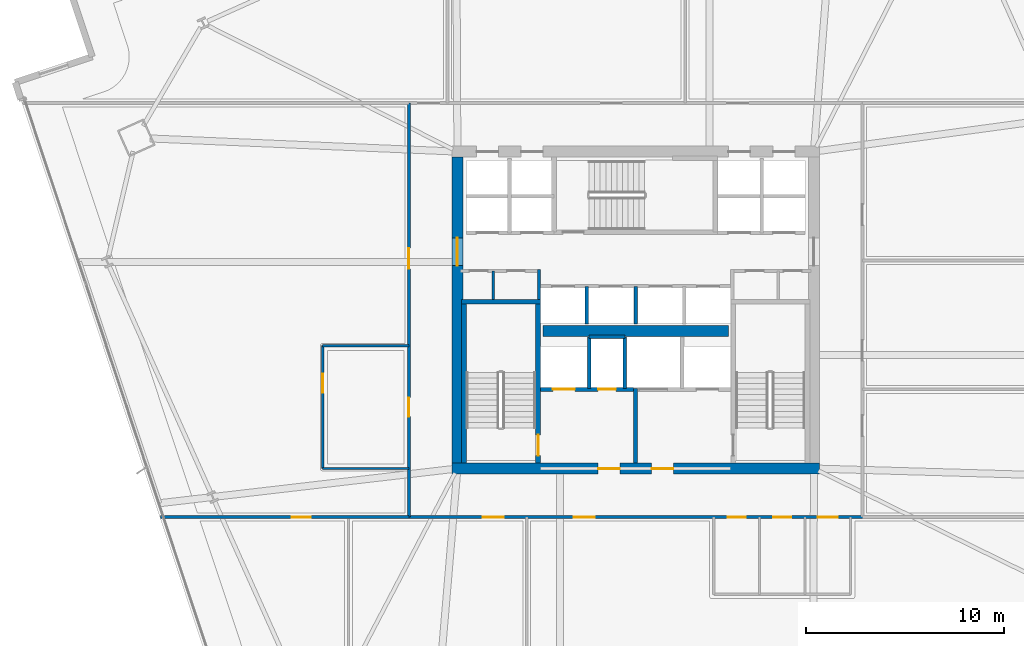
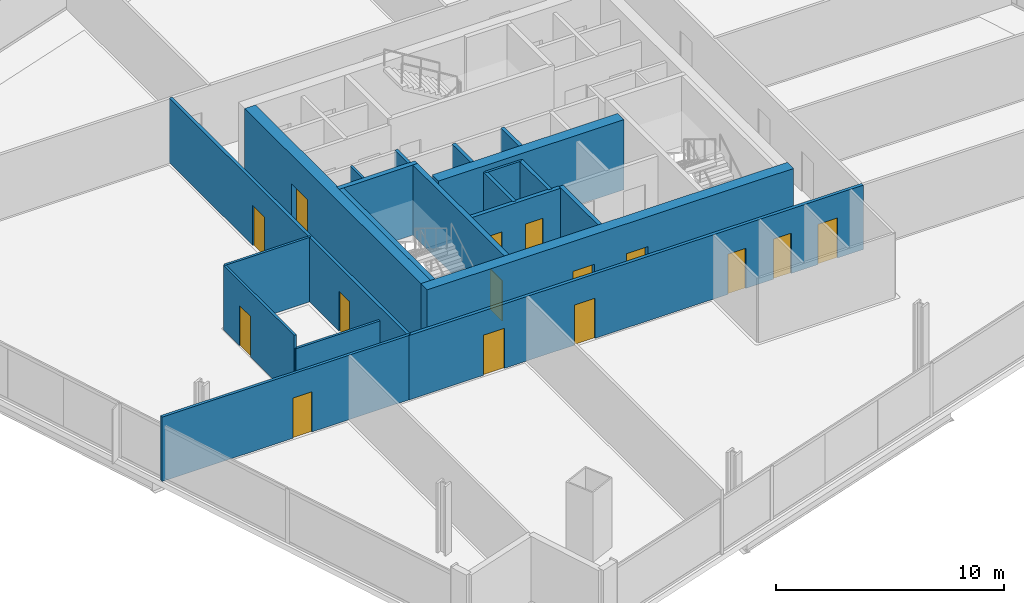
# One storey, part 25 of 34: 21 walls, 15 doors, 15 openings.
"""IFC4 building model written with IfcOpenShell, lengths in metres."""

from ifc_helpers import new_model, si_unit, direction, frame, frame_2d, origin, place, context, subcontext, project, spatial, rectangle, extrude, material, layer, layer_set, type_object, element, fill, save


model = new_model("IFC4")

# Units and contexts
model_context = context("Model", 3, precision=1e-05, world=origin(), true_north=direction((0.0, 1.0)))
body_context = subcontext(model_context, "Body", "Model", "MODEL_VIEW")
ifc_project = project(units=[si_unit("LENGTHUNIT", "METRE"), si_unit("AREAUNIT", "SQUARE_METRE"), si_unit("VOLUMEUNIT", "CUBIC_METRE"), si_unit("PLANEANGLEUNIT", "RADIAN"), si_unit("MASSUNIT", "GRAM", prefix="KILO")], contexts=[model_context])

# Site, building, storey
site_placement = place(None, origin())
site = spatial("IfcSite", under=ifc_project, at=site_placement, CompositionType="ELEMENT")
building_placement = place(site_placement, origin())
building = spatial("IfcBuilding", under=site, at=building_placement, Name="Haldenkirk Collegiate Tower", CompositionType="ELEMENT")
storey_placement = place(building_placement, frame((0.0, 0.0, 90.449951171875)))
storey = spatial("IfcBuildingStorey", under=building, at=storey_placement, Name="L21", CompositionType="ELEMENT", Elevation=90.449951171875)

# Wall, openings, doors
ifc_material_1 = material(Name="Concrete f'c 70 MPa", Category="concrete")
ifc_layer_1 = layer(ifc_material_1, 0.550048828125)
ifc_layer_set_1 = layer_set([ifc_layer_1], Name="Concrete f'c 70 MPa")
wall_type_1 = type_object("IfcWallType", Name="WL-CORE-550", PredefinedType="SHEAR", material=ifc_layer_set_1)
wall_1_placement = place(storey_placement, frame((26.72509765625, 18.0, 0.0), z_axis=(0.0, 0.0, 1.0), x_axis=(1.0, 0.0, 0.0)))
wall_1 = element("IfcWall", 1, at=wall_1_placement, inside=storey, type_object=wall_type_1, Name="L21 central core shear wall S", PredefinedType="SHEAR", context=body_context, shape_type="SweptSolid", body=[
    extrude(rectangle(XDim=18.5498046875, YDim=0.550048828125, at=frame_2d((9.27490234375, 0.0))), origin(), (0.0, 0.0, 1.0), 3.75),
])
opening_1_placement = place(wall_1_placement, frame((7.375, 0.0, 0.0)))
opening_1 = element("IfcOpeningElement", 2, at=opening_1_placement, cuts=wall_1, Name="Opening D-02", PredefinedType="OPENING", context=body_context, shape_type="SweptSolid", body=[
    extrude(rectangle(XDim=1.10009765625, YDim=2.14990234375, at=frame_2d((0.550048828125, 1.074951171875))), frame((0.0, 0.284912109375, 0.0), z_axis=(0.0, -1.0, 0.0), x_axis=(1.0, 0.0, 0.0)), (0.0, 0.0, 1.0), 0.570068359375),
])
opening_2_placement = place(wall_1_placement, frame((10.074951171875, 0.0, 0.0)))
opening_2 = element("IfcOpeningElement", 3, at=opening_2_placement, cuts=wall_1, Name="Opening D-02", PredefinedType="OPENING", context=body_context, shape_type="SweptSolid", body=[
    extrude(rectangle(XDim=1.10009765625, YDim=2.14990234375, at=frame_2d((0.550048828125, 1.074951171875))), frame((0.0, 0.284912109375, 0.0), z_axis=(0.0, -1.0, 0.0), x_axis=(1.0, 0.0, 0.0)), (0.0, 0.0, 1.0), 0.570068359375),
])
ifc_material_2 = material(Name="Galvanized fire-rated hollow steel door", Category="steel")
ifc_layer_2 = layer(ifc_material_2, 0.06005859375)
ifc_layer_set_2 = layer_set([ifc_layer_2], Name="Galvanized fire-rated hollow steel door")
door_type_1 = type_object("IfcDoorType", Name="DR-STAIR-FD90-1100", OperationType="NOTDEFINED", PredefinedType="DOOR", material=ifc_layer_set_2)
door_1_placement = place(opening_1_placement, origin())
door_1 = element("IfcDoor", 4, at=door_1_placement, inside=storey, type_object=door_type_1, Name="L21 Firefighting Lobby 1 door", OperationType="SINGLE_SWING_RIGHT", OverallHeight=2.14990234375, OverallWidth=1.10009765625, PredefinedType="DOOR", context=body_context, shape_type="SweptSolid", body=[
    extrude(rectangle(XDim=1.10009765625, YDim=2.14990234375, at=frame_2d((0.550048828125, 1.074951171875))), frame((0.0, 0.02490234375, 0.0), z_axis=(0.0, -1.0, 0.0), x_axis=(1.0, 0.0, 0.0)), (0.0, 0.0, 1.0), 0.050048828125),
])
fill(opening_1, door_1)
door_2_placement = place(opening_2_placement, origin())
door_2 = element("IfcDoor", 5, at=door_2_placement, inside=storey, type_object=door_type_1, Name="L21 Firefighting Lobby 2 door", OperationType="SINGLE_SWING_LEFT", OverallHeight=2.14990234375, OverallWidth=1.10009765625, PredefinedType="DOOR", context=body_context, shape_type="SweptSolid", body=[
    extrude(rectangle(XDim=1.10009765625, YDim=2.14990234375, at=frame_2d((0.550048828125, 1.074951171875))), frame((0.0, 0.02490234375, 0.0), z_axis=(0.0, -1.0, 0.0), x_axis=(1.0, 0.0, 0.0)), (0.0, 0.0, 1.0), 0.050048828125),
])
fill(opening_2, door_2)

# Wall, opening, door
wall_2_placement = place(storey_placement, frame((27.0, 18.27490234375, 0.0), z_axis=(0.0, 0.0, 1.0), x_axis=(0.0, 1.0, 0.0)))
wall_2 = element("IfcWall", 6, at=wall_2_placement, inside=storey, type_object=wall_type_1, Name="L21 central core shear wall W", PredefinedType="SHEAR", context=body_context, shape_type="SweptSolid", body=[
    extrude(rectangle(XDim=15.4501953125, YDim=0.550048828125, at=frame_2d((7.72509765625, 0.0))), origin(), (0.0, 0.0, 1.0), 3.75),
])
opening_3_placement = place(wall_2_placement, frame((9.965087890625, 0.0, 0.0)))
opening_3 = element("IfcOpeningElement", 7, at=opening_3_placement, cuts=wall_2, Name="Opening D-03", PredefinedType="OPENING", context=body_context, shape_type="SweptSolid", body=[
    extrude(rectangle(XDim=1.39990234375, YDim=2.199951171875, at=frame_2d((0.699951171875, 1.10009765625))), frame((0.0, 0.284912109375, 0.0), z_axis=(0.0, -1.0, 0.0), x_axis=(1.0, 0.0, 0.0)), (0.0, 0.0, 1.0), 0.570068359375),
])
ifc_layer_3 = layer(ifc_material_2, 0.06005859375)
ifc_layer_set_3 = layer_set([ifc_layer_3], Name="Galvanized fire-rated hollow steel door")
door_type_2 = type_object("IfcDoorType", Name="DR-LOBBY-FD90-1400", OperationType="NOTDEFINED", PredefinedType="DOOR", material=ifc_layer_set_3)
door_3_placement = place(opening_3_placement, origin())
door_3 = element("IfcDoor", 8, at=door_3_placement, inside=storey, type_object=door_type_2, Name="L21 west lift lobby portal", OperationType="DOUBLE_DOOR_SINGLE_SWING", OverallHeight=2.199951171875, OverallWidth=1.39990234375, PredefinedType="DOOR", context=body_context, shape_type="SweptSolid", body=[
    extrude(rectangle(XDim=1.39990234375, YDim=2.199951171875, at=frame_2d((0.699951171875, 1.10009765625))), frame((0.0, 0.02490234375, 0.0), z_axis=(0.0, -1.0, 0.0), x_axis=(1.0, 0.0, 0.0)), (0.0, 0.0, 1.0), 0.050048828125),
])
fill(opening_3, door_3)

# Walls
wall_3_placement = place(storey_placement, frame((31.31005859375, 24.949951171875, 0.0), z_axis=(0.0, 0.0, 1.0), x_axis=(1.0, 0.0, 0.0)))
element("IfcWall", 9, at=wall_3_placement, inside=storey, type_object=wall_type_1, Name="L21 central core spine shear wall", PredefinedType="SHEAR", context=body_context, shape_type="SweptSolid", body=[
    extrude(rectangle(XDim=9.3798828125, YDim=0.550048828125, at=frame_2d((4.68994140625, 0.0))), origin(), (0.0, 0.0, 1.0), 3.75),
])
ifc_material_3 = material(Name="Acoustic fire-rated gypsum partition", Category="concrete")
ifc_layer_4 = layer(ifc_material_3, 0.159912109375)
ifc_layer_set_4 = layer_set([ifc_layer_4], Name="Acoustic fire-rated gypsum partition")
wall_type_2 = type_object("IfcWallType", Name="WL-INT-CORR-160", PredefinedType="PARTITIONING", material=ifc_layer_set_4)
wall_4_placement = place(storey_placement, frame((31.1201171875, 26.5400390625, 0.0), z_axis=(0.0, 0.0, 1.0), x_axis=(0.0, 1.0, 0.0)))
element("IfcWall", 10, at=wall_4_placement, inside=storey, type_object=wall_type_2, Name="L21 interior partition IW-L21-VCSW-E", PredefinedType="PARTITIONING", context=body_context, shape_type="SweptSolid", body=[
    extrude(rectangle(XDim=1.510009765625, YDim=0.159912109375, at=frame_2d((0.7548828125, 0.0))), origin(), (0.0, 0.0, 1.0), 3.449951171875),
])

# Wall, openings, doors
wall_5_placement = place(storey_placement, frame((24.5, 15.550048828125, 0.0), z_axis=(0.0, 0.0, 1.0), x_axis=(1.0, 0.0, 0.0)))
wall_5 = element("IfcWall", 11, at=wall_5_placement, inside=storey, type_object=wall_type_2, Name="L21 interior partition IW-L21-CS", PredefinedType="PARTITIONING", context=body_context, shape_type="SweptSolid", body=[
    extrude(rectangle(XDim=23.0, YDim=0.159912109375, at=frame_2d((11.5, 0.0))), origin(), (0.0, 0.0, 1.0), 3.449951171875),
])
opening_4_placement = place(wall_5_placement, frame((16.14990234375, 0.0, 0.0)))
opening_4 = element("IfcOpeningElement", 12, at=opening_4_placement, cuts=wall_5, Name="Opening D-13", PredefinedType="OPENING", context=body_context, shape_type="SweptSolid", body=[
    extrude(rectangle(XDim=0.89990234375, YDim=2.14990234375, at=frame_2d((0.449951171875, 1.074951171875))), frame((0.0, 0.08984375, 0.0), z_axis=(0.0, -1.0, 0.0), x_axis=(1.0, 0.0, 0.0)), (0.0, 0.0, 1.0), 0.179931640625),
])
opening_5_placement = place(wall_5_placement, frame((18.449951171875, 0.0, 0.0)))
opening_5 = element("IfcOpeningElement", 13, at=opening_5_placement, cuts=wall_5, Name="Opening D-13", PredefinedType="OPENING", context=body_context, shape_type="SweptSolid", body=[
    extrude(rectangle(XDim=0.89990234375, YDim=2.14990234375, at=frame_2d((0.449951171875, 1.074951171875))), frame((0.0, 0.08984375, 0.0), z_axis=(0.0, -1.0, 0.0), x_axis=(1.0, 0.0, 0.0)), (0.0, 0.0, 1.0), 0.179931640625),
])
opening_6_placement = place(wall_5_placement, frame((20.699951171875, 0.0, 0.0)))
opening_6 = element("IfcOpeningElement", 14, at=opening_6_placement, cuts=wall_5, Name="Opening D-14", PredefinedType="OPENING", context=body_context, shape_type="SweptSolid", body=[
    extrude(rectangle(XDim=1.0, YDim=2.14990234375, at=frame_2d((0.5, 1.074951171875))), frame((0.0, 0.08984375, 0.0), z_axis=(0.0, -1.0, 0.0), x_axis=(1.0, 0.0, 0.0)), (0.0, 0.0, 1.0), 0.179931640625),
])
opening_7_placement = place(wall_5_placement, frame((3.781005859375, 0.0, 0.0)))
opening_7 = element("IfcOpeningElement", 15, at=opening_7_placement, cuts=wall_5, Name="Opening D-09", PredefinedType="OPENING", context=body_context, shape_type="SweptSolid", body=[
    extrude(rectangle(XDim=1.050048828125, YDim=2.14990234375, at=frame_2d((0.52490234375, 1.074951171875))), frame((0.0, 0.08984375, 0.0), z_axis=(0.0, -1.0, 0.0), x_axis=(1.0, 0.0, 0.0)), (0.0, 0.0, 1.0), 0.179931640625),
])
opening_8_placement = place(wall_5_placement, frame((8.373046875, 0.0, 0.0)))
opening_8 = element("IfcOpeningElement", 16, at=opening_8_placement, cuts=wall_5, Name="Opening D-09", PredefinedType="OPENING", context=body_context, shape_type="SweptSolid", body=[
    extrude(rectangle(XDim=1.050048828125, YDim=2.14990234375, at=frame_2d((0.52490234375, 1.074951171875))), frame((0.0, 0.08984375, 0.0), z_axis=(0.0, -1.0, 0.0), x_axis=(1.0, 0.0, 0.0)), (0.0, 0.0, 1.0), 0.179931640625),
])
ifc_material_4 = material(Name="Solid-core architectural oak fire door", Category="wood")
ifc_layer_5 = layer(ifc_material_4, 0.06005859375)
ifc_layer_set_5 = layer_set([ifc_layer_5], Name="Solid-core architectural oak fire door")
door_type_3 = type_object("IfcDoorType", Name="DR-INT-ACC-1000", OperationType="NOTDEFINED", PredefinedType="DOOR", material=ifc_layer_set_5)
door_4_placement = place(opening_6_placement, origin())
door_4 = element("IfcDoor", 17, at=door_4_placement, inside=storey, type_object=door_type_3, Name="L21 Accessible WC door", OperationType="SINGLE_SWING_LEFT", OverallHeight=2.14990234375, OverallWidth=1.0, PredefinedType="DOOR", context=body_context, shape_type="SweptSolid", body=[
    extrude(rectangle(XDim=1.0, YDim=2.14990234375, at=frame_2d((0.5, 1.074951171875))), frame((0.0, 0.02490234375, 0.0), z_axis=(0.0, -1.0, 0.0), x_axis=(1.0, 0.0, 0.0)), (0.0, 0.0, 1.0), 0.050048828125),
])
fill(opening_6, door_4)
ifc_layer_6 = layer(ifc_material_4, 0.06005859375)
ifc_layer_set_6 = layer_set([ifc_layer_6], Name="Solid-core architectural oak fire door")
door_type_4 = type_object("IfcDoorType", Name="DR-INT-FD60-1050", OperationType="NOTDEFINED", PredefinedType="DOOR", material=ifc_layer_set_6)
door_5_placement = place(opening_7_placement, origin())
door_5 = element("IfcDoor", 18, at=door_5_placement, inside=storey, type_object=door_type_4, Name="L21 Academic Counseling Clinic 2 door", OperationType="SINGLE_SWING_LEFT", OverallHeight=2.14990234375, OverallWidth=1.050048828125, PredefinedType="DOOR", context=body_context, shape_type="SweptSolid", body=[
    extrude(rectangle(XDim=1.050048828125, YDim=2.14990234375, at=frame_2d((0.52490234375, 1.074951171875))), frame((0.0, 0.02490234375, 0.0), z_axis=(0.0, -1.0, 0.0), x_axis=(1.0, 0.0, 0.0)), (0.0, 0.0, 1.0), 0.050048828125),
])
fill(opening_7, door_5)
door_6_placement = place(opening_8_placement, origin())
door_6 = element("IfcDoor", 19, at=door_6_placement, inside=storey, type_object=door_type_4, Name="L21 Ergonomics Clinic 3 door", OperationType="SINGLE_SWING_RIGHT", OverallHeight=2.14990234375, OverallWidth=1.050048828125, PredefinedType="DOOR", context=body_context, shape_type="SweptSolid", body=[
    extrude(rectangle(XDim=1.050048828125, YDim=2.14990234375, at=frame_2d((0.52490234375, 1.074951171875))), frame((0.0, 0.02490234375, 0.0), z_axis=(0.0, -1.0, 0.0), x_axis=(1.0, 0.0, 0.0)), (0.0, 0.0, 1.0), 0.050048828125),
])
fill(opening_8, door_6)
ifc_layer_7 = layer(ifc_material_4, 0.06005859375)
ifc_layer_set_7 = layer_set([ifc_layer_7], Name="Solid-core architectural oak fire door")
door_type_5 = type_object("IfcDoorType", Name="DR-INT-STD-900", OperationType="NOTDEFINED", PredefinedType="DOOR", material=ifc_layer_set_7)
door_7_placement = place(opening_4_placement, origin())
door_7 = element("IfcDoor", 20, at=door_7_placement, inside=storey, type_object=door_type_5, Name="L21 Male WC door", OperationType="SINGLE_SWING_LEFT", OverallHeight=2.14990234375, OverallWidth=0.89990234375, PredefinedType="DOOR", context=body_context, shape_type="SweptSolid", body=[
    extrude(rectangle(XDim=0.89990234375, YDim=2.14990234375, at=frame_2d((0.449951171875, 1.074951171875))), frame((0.0, 0.02490234375, 0.0), z_axis=(0.0, -1.0, 0.0), x_axis=(1.0, 0.0, 0.0)), (0.0, 0.0, 1.0), 0.050048828125),
])
fill(opening_4, door_7)
door_8_placement = place(opening_5_placement, origin())
door_8 = element("IfcDoor", 21, at=door_8_placement, inside=storey, type_object=door_type_5, Name="L21 Female WC door", OperationType="SINGLE_SWING_RIGHT", OverallHeight=2.14990234375, OverallWidth=0.89990234375, PredefinedType="DOOR", context=body_context, shape_type="SweptSolid", body=[
    extrude(rectangle(XDim=0.89990234375, YDim=2.14990234375, at=frame_2d((0.449951171875, 1.074951171875))), frame((0.0, 0.02490234375, 0.0), z_axis=(0.0, -1.0, 0.0), x_axis=(1.0, 0.0, 0.0)), (0.0, 0.0, 1.0), 0.050048828125),
])
fill(opening_5, door_8)

wall_6_placement = place(storey_placement, frame((24.550048828125, 15.550048828125, 0.0), z_axis=(0.0, 0.0, 1.0), x_axis=(0.0, 1.0, 0.0)))
wall_6 = element("IfcWall", 22, at=wall_6_placement, inside=storey, type_object=wall_type_2, Name="L21 interior partition IW-L21-CW", PredefinedType="PARTITIONING", context=body_context, shape_type="SweptSolid", body=[
    extrude(rectangle(XDim=20.89990234375, YDim=0.159912109375, at=frame_2d((10.449951171875, 0.0))), origin(), (0.0, 0.0, 1.0), 3.449951171875),
])
opening_9_placement = place(wall_6_placement, frame((5.074951171875, 0.0, 0.0)))
opening_9 = element("IfcOpeningElement", 23, at=opening_9_placement, cuts=wall_6, Name="Opening D-10", PredefinedType="OPENING", context=body_context, shape_type="SweptSolid", body=[
    extrude(rectangle(XDim=0.949951171875, YDim=2.14990234375, at=frame_2d((0.47509765625, 1.074951171875))), frame((0.0, 0.08984375, 0.0), z_axis=(0.0, -1.0, 0.0), x_axis=(1.0, 0.0, 0.0)), (0.0, 0.0, 1.0), 0.179931640625),
])
opening_10_placement = place(wall_6_placement, frame((12.52392578125, 0.0, 0.0)))
opening_10 = element("IfcOpeningElement", 24, at=opening_10_placement, cuts=wall_6, Name="Opening D-09", PredefinedType="OPENING", context=body_context, shape_type="SweptSolid", body=[
    extrude(rectangle(XDim=1.050048828125, YDim=2.14990234375, at=frame_2d((0.52490234375, 1.074951171875))), frame((0.0, 0.08984375, 0.0), z_axis=(0.0, -1.0, 0.0), x_axis=(1.0, 0.0, 0.0)), (0.0, 0.0, 1.0), 0.179931640625),
])
door_9_placement = place(opening_10_placement, origin())
door_9 = element("IfcDoor", 25, at=door_9_placement, inside=storey, type_object=door_type_4, Name="L21 Student Wellness Clinic 7 door", OperationType="SINGLE_SWING_RIGHT", OverallHeight=2.14990234375, OverallWidth=1.050048828125, PredefinedType="DOOR", context=body_context, shape_type="SweptSolid", body=[
    extrude(rectangle(XDim=1.050048828125, YDim=2.14990234375, at=frame_2d((0.52490234375, 1.074951171875))), frame((0.0, 0.02490234375, 0.0), z_axis=(0.0, -1.0, 0.0), x_axis=(1.0, 0.0, 0.0)), (0.0, 0.0, 1.0), 0.050048828125),
])
fill(opening_10, door_9)
ifc_layer_8 = layer(ifc_material_4, 0.06005859375)
ifc_layer_set_8 = layer_set([ifc_layer_8], Name="Solid-core architectural oak fire door")
door_type_6 = type_object("IfcDoorType", Name="DR-INT-FD60-950", OperationType="NOTDEFINED", PredefinedType="DOOR", material=ifc_layer_set_8)
door_10_placement = place(opening_9_placement, origin())
door_10 = element("IfcDoor", 26, at=door_10_placement, inside=storey, type_object=door_type_6, Name="L21 West Faculty Tutorial Pod corridor door", OperationType="SINGLE_SWING_RIGHT", OverallHeight=2.14990234375, OverallWidth=0.949951171875, PredefinedType="DOOR", context=body_context, shape_type="SweptSolid", body=[
    extrude(rectangle(XDim=0.949951171875, YDim=2.14990234375, at=frame_2d((0.47509765625, 1.074951171875))), frame((0.0, 0.02490234375, 0.0), z_axis=(0.0, -1.0, 0.0), x_axis=(1.0, 0.0, 0.0)), (0.0, 0.0, 1.0), 0.050048828125),
])
fill(opening_9, door_10)

# Wall, opening, door
ifc_layer_9 = layer(ifc_material_3, 0.139892578125)
ifc_layer_set_9 = layer_set([ifc_layer_9], Name="Acoustic fire-rated gypsum partition")
wall_type_3 = type_object("IfcWallType", Name="WL-INT-DIV-140", PredefinedType="PARTITIONING", material=ifc_layer_set_9)
wall_7_placement = place(storey_placement, frame((12.01220703125, 15.550048828125, 0.0), z_axis=(0.0, 0.0, 1.0), x_axis=(1.0, 0.0, 0.0)))
wall_7 = element("IfcWall", 27, at=wall_7_placement, inside=storey, type_object=wall_type_3, Name="L21 interior partition IW-L21-BWS", PredefinedType="PARTITIONING", context=body_context, shape_type="SweptSolid", body=[
    extrude(rectangle(XDim=12.537841796875, YDim=0.139892578125, at=frame_2d((6.26904296875, 0.0))), origin(), (0.0, 0.0, 1.0), 3.449951171875),
])
opening_11_placement = place(wall_7_placement, frame((6.6298828125, 0.0, 0.0)))
opening_11 = element("IfcOpeningElement", 28, at=opening_11_placement, cuts=wall_7, Name="Opening D-12", PredefinedType="OPENING", context=body_context, shape_type="SweptSolid", body=[
    extrude(rectangle(XDim=0.949951171875, YDim=2.14990234375, at=frame_2d((0.47509765625, 1.074951171875))), frame((0.0, 0.079833984375, 0.0), z_axis=(0.0, -1.0, 0.0), x_axis=(1.0, 0.0, 0.0)), (0.0, 0.0, 1.0), 0.159912109375),
])
ifc_layer_10 = layer(ifc_material_4, 0.06005859375)
ifc_layer_set_10 = layer_set([ifc_layer_10], Name="Solid-core architectural oak fire door")
door_type_7 = type_object("IfcDoorType", Name="DR-INT-STD-950", OperationType="NOTDEFINED", PredefinedType="DOOR", material=ifc_layer_set_10)
door_11_placement = place(opening_11_placement, origin())
door_11 = element("IfcDoor", 29, at=door_11_placement, inside=storey, type_object=door_type_7, Name="L21 Student Wellness Clinic 1 door", OperationType="SINGLE_SWING_RIGHT", OverallHeight=2.14990234375, OverallWidth=0.949951171875, PredefinedType="DOOR", context=body_context, shape_type="SweptSolid", body=[
    extrude(rectangle(XDim=0.949951171875, YDim=2.14990234375, at=frame_2d((0.47509765625, 1.074951171875))), frame((0.0, 0.02490234375, 0.0), z_axis=(0.0, -1.0, 0.0), x_axis=(1.0, 0.0, 0.0)), (0.0, 0.0, 1.0), 0.050048828125),
])
fill(opening_11, door_11)

# Walls
ifc_material_5 = material(Name="Fire-rated gypsum shaftboard assembly", Category="concrete")
ifc_layer_11 = layer(ifc_material_5, 0.179931640625)
ifc_layer_set_11 = layer_set([ifc_layer_11], Name="Fire-rated gypsum shaftboard assembly")
wall_type_4 = type_object("IfcWallType", Name="WL-INT-SHAFT-180", PredefinedType="PARTITIONING", material=ifc_layer_set_11)
for number, where, z_axis, x_axis, name in (
    (30, (33.64990234375, 22.050048828125, 0.0), (0.0, 0.0, 1.0), (0.0, 1.0, 0.0), "L21 interior partition IW-L21-FL1E"),
    (31, (35.449951171875, 22.050048828125, 0.0), (0.0, 0.0, 1.0), (0.0, 1.0, 0.0), "L21 interior partition IW-L21-GL1W"),
):
    element("IfcWall", number, at=place(storey_placement, frame(where, z_axis=z_axis, x_axis=x_axis)), inside=storey, type_object=wall_type_4, Name=name, PredefinedType="PARTITIONING", context=body_context, shape_type="SweptSolid", body=[
        extrude(rectangle(XDim=2.599853515625, YDim=0.179931640625, at=frame_2d((1.2998046875, 0.0))), origin(), (0.0, 0.0, 1.0), 3.449951171875),
    ])
wall_8_placement = place(storey_placement, frame((33.64990234375, 24.64990234375, 0.0), z_axis=(0.0, 0.0, 1.0), x_axis=(1.0, 0.0, 0.0)))
element("IfcWall", 32, at=wall_8_placement, inside=storey, type_object=wall_type_4, Name="L21 interior partition IW-L21-RSRN", PredefinedType="PARTITIONING", context=body_context, shape_type="SweptSolid", body=[
    extrude(rectangle(XDim=1.800048828125, YDim=0.179931640625, at=frame_2d((0.89990234375, 0.0))), origin(), (0.0, 0.0, 1.0), 3.449951171875),
])
for number, where, z_axis, x_axis, name in (
    (33, (33.5400390625, 25.300048828125, 0.0), (0.0, 0.0, 1.0), (0.0, 1.0, 0.0), "L21 interior partition IW-L21-PHV1"),
    (34, (36.0, 25.300048828125, 0.0), (0.0, 0.0, 1.0), (0.0, 1.0, 0.0), "L21 interior partition IW-L21-PHV2"),
):
    element("IfcWall", number, at=place(storey_placement, frame(where, z_axis=z_axis, x_axis=x_axis)), inside=storey, type_object=wall_type_4, Name=name, PredefinedType="PARTITIONING", context=body_context, shape_type="SweptSolid", body=[
        extrude(rectangle(XDim=1.89990234375, YDim=0.179931640625, at=frame_2d((0.949951171875, 0.0))), origin(), (0.0, 0.0, 1.0), 3.449951171875),
    ])
ifc_layer_12 = layer(ifc_material_5, 0.199951171875)
ifc_layer_set_12 = layer_set([ifc_layer_12], Name="Fire-rated gypsum shaftboard assembly")
wall_type_5 = type_object("IfcWallType", Name="WL-INT-SHAFT-200", PredefinedType="PARTITIONING", material=ifc_layer_set_12)
wall_9_placement = place(storey_placement, frame((36.0, 18.280029296875, 0.0), z_axis=(0.0, 0.0, 1.0), x_axis=(0.0, 1.0, 0.0)))
element("IfcWall", 35, at=wall_9_placement, inside=storey, type_object=wall_type_5, Name="L21 interior partition IW-L21-FFLM", PredefinedType="PARTITIONING", context=body_context, shape_type="SweptSolid", body=[
    extrude(rectangle(XDim=3.77001953125, YDim=0.199951171875, at=frame_2d((1.885009765625, 0.0))), origin(), (0.0, 0.0, 1.0), 3.449951171875),
])

# Wall, openings, doors
wall_10_placement = place(storey_placement, frame((31.18994140625, 22.0, 0.0), z_axis=(0.0, 0.0, 1.0), x_axis=(1.0, 0.0, 0.0)))
wall_10 = element("IfcWall", 36, at=wall_10_placement, inside=storey, type_object=wall_type_5, Name="L21 interior partition IW-L21-FFL1N", PredefinedType="PARTITIONING", context=body_context, shape_type="SweptSolid", body=[
    extrude(rectangle(XDim=4.68994140625, YDim=0.199951171875, at=frame_2d((2.344970703125, 0.0))), origin(), (0.0, 0.0, 1.0), 3.449951171875),
])
opening_12_placement = place(wall_10_placement, frame((2.909912109375, 0.0, 0.0)))
opening_12 = element("IfcOpeningElement", 37, at=opening_12_placement, cuts=wall_10, Name="Opening D-06", PredefinedType="OPENING", context=body_context, shape_type="SweptSolid", body=[
    extrude(rectangle(XDim=0.89990234375, YDim=2.14990234375, at=frame_2d((0.449951171875, 1.074951171875))), frame((0.0, 0.10986328125, 0.0), z_axis=(0.0, -1.0, 0.0), x_axis=(1.0, 0.0, 0.0)), (0.0, 0.0, 1.0), 0.219970703125),
])
opening_13_placement = place(wall_10_placement, frame((0.635009765625, 0.0, 0.0)))
opening_13 = element("IfcOpeningElement", 38, at=opening_13_placement, cuts=wall_10, Name="Opening LD-12", PredefinedType="OPENING", context=body_context, shape_type="SweptSolid", body=[
    extrude(rectangle(XDim=1.10009765625, YDim=2.14990234375, at=frame_2d((0.550048828125, 1.074951171875))), frame((0.0, 0.10986328125, 0.0), z_axis=(0.0, -1.0, 0.0), x_axis=(1.0, 0.0, 0.0)), (0.0, 0.0, 1.0), 0.219970703125),
])
ifc_layer_13 = layer(ifc_material_2, 0.06005859375)
ifc_layer_set_13 = layer_set([ifc_layer_13], Name="Galvanized fire-rated hollow steel door")
door_type_8 = type_object("IfcDoorType", Name="DR-INT-FD90-900", OperationType="NOTDEFINED", PredefinedType="DOOR", material=ifc_layer_set_13)
door_12_placement = place(opening_12_placement, origin())
door_12 = element("IfcDoor", 39, at=door_12_placement, inside=storey, type_object=door_type_8, Name="L21 electrical riser door", OperationType="SINGLE_SWING_RIGHT", OverallHeight=2.14990234375, OverallWidth=0.89990234375, PredefinedType="DOOR", context=body_context, shape_type="SweptSolid", body=[
    extrude(rectangle(XDim=0.89990234375, YDim=2.14990234375, at=frame_2d((0.449951171875, 1.074951171875))), frame((0.0, 0.02490234375, 0.0), z_axis=(0.0, -1.0, 0.0), x_axis=(1.0, 0.0, 0.0)), (0.0, 0.0, 1.0), 0.050048828125),
])
fill(opening_12, door_12)
ifc_material_6 = material(Name="Brushed architectural stainless steel", Category="steel")
ifc_layer_14 = layer(ifc_material_6, 0.06005859375)
ifc_layer_set_14 = layer_set([ifc_layer_14], Name="Brushed architectural stainless steel")
door_type_9 = type_object("IfcDoorType", Name="LD-FIRE-1100", OperationType="NOTDEFINED", PredefinedType="DOOR", material=ifc_layer_set_14)
door_13_placement = place(opening_13_placement, origin())
door_13 = element("IfcDoor", 40, at=door_13_placement, inside=storey, type_object=door_type_9, Name="L21 Elevator FL1 sliding landing door", OperationType="SLIDING_TO_LEFT", OverallHeight=2.14990234375, OverallWidth=1.10009765625, PredefinedType="DOOR", context=body_context, shape_type="SweptSolid", body=[
    extrude(rectangle(XDim=1.10009765625, YDim=2.14990234375, at=frame_2d((0.550048828125, 1.074951171875))), frame((0.0, 0.02490234375, 0.0), z_axis=(0.0, -1.0, 0.0), x_axis=(1.0, 0.0, 0.0)), (0.0, 0.0, 1.0), 0.050048828125),
])
fill(opening_13, door_13)

# Walls
ifc_layer_15 = layer(ifc_material_3, 0.1201171875)
ifc_layer_set_15 = layer_set([ifc_layer_15], Name="Acoustic fire-rated gypsum partition")
wall_type_6 = type_object("IfcWallType", Name="WL-INT-WET-120", PredefinedType="PARTITIONING", material=ifc_layer_set_15)
wall_11_placement = place(storey_placement, frame((28.800048828125, 26.5400390625, 0.0), z_axis=(0.0, 0.0, 1.0), x_axis=(0.0, 1.0, 0.0)))
element("IfcWall", 41, at=wall_11_placement, inside=storey, type_object=wall_type_6, Name="L21 interior partition IW-L21-VCSW-M", PredefinedType="PARTITIONING", context=body_context, shape_type="SweptSolid", body=[
    extrude(rectangle(XDim=1.43994140625, YDim=0.1201171875, at=frame_2d((0.719970703125, 0.0))), origin(), (0.0, 0.0, 1.0), 3.449951171875),
])
wall_12_placement = place(storey_placement, frame((20.199951171875, 18.0, 0.0), z_axis=(0.0, 0.0, 1.0), x_axis=(1.0, 0.0, 0.0)))
element("IfcWall", 42, at=wall_12_placement, inside=storey, type_object=wall_type_6, Name="L21 interior partition IW-L21-SUBWS", PredefinedType="PARTITIONING", context=body_context, shape_type="SweptSolid", body=[
    extrude(rectangle(XDim=4.35009765625, YDim=0.1201171875, at=frame_2d((2.175048828125, 0.0))), origin(), (0.0, 0.0, 1.0), 2.7490234375),
])

# Wall, opening, door
wall_13_placement = place(storey_placement, frame((20.199951171875, 18.0, 0.0), z_axis=(0.0, 0.0, 1.0), x_axis=(0.0, 1.0, 0.0)))
wall_13 = element("IfcWall", 43, at=wall_13_placement, inside=storey, type_object=wall_type_6, Name="L21 interior partition IW-L21-SUBW", PredefinedType="PARTITIONING", context=body_context, shape_type="SweptSolid", body=[
    extrude(rectangle(XDim=6.199951171875, YDim=0.1201171875, at=frame_2d((3.10009765625, 0.0))), origin(), (0.0, 0.0, 1.0), 3.449951171875),
])
opening_14_placement = place(wall_13_placement, frame((3.824951171875, 0.0, 0.0)))
opening_14 = element("IfcOpeningElement", 44, at=opening_14_placement, cuts=wall_13, Name="Opening D-12", PredefinedType="OPENING", context=body_context, shape_type="SweptSolid", body=[
    extrude(rectangle(XDim=0.949951171875, YDim=2.14990234375, at=frame_2d((0.47509765625, 1.074951171875))), frame((0.0, 0.070068359375, 0.0), z_axis=(0.0, -1.0, 0.0), x_axis=(1.0, 0.0, 0.0)), (0.0, 0.0, 1.0), 0.14013671875),
])
door_14_placement = place(opening_14_placement, origin())
door_14 = element("IfcDoor", 45, at=door_14_placement, inside=storey, type_object=door_type_7, Name="L21 West Faculty Tutorial Pod suite door", OperationType="SINGLE_SWING_LEFT", OverallHeight=2.14990234375, OverallWidth=0.949951171875, PredefinedType="DOOR", context=body_context, shape_type="SweptSolid", body=[
    extrude(rectangle(XDim=0.949951171875, YDim=2.14990234375, at=frame_2d((0.47509765625, 1.074951171875))), frame((0.0, 0.02490234375, 0.0), z_axis=(0.0, -1.0, 0.0), x_axis=(1.0, 0.0, 0.0)), (0.0, 0.0, 1.0), 0.050048828125),
])
fill(opening_14, door_14)

# Wall
wall_14_placement = place(storey_placement, frame((20.199951171875, 24.199951171875, 0.0), z_axis=(0.0, 0.0, 1.0), x_axis=(1.0, 0.0, 0.0)))
element("IfcWall", 46, at=wall_14_placement, inside=storey, type_object=wall_type_6, Name="L21 interior partition IW-L21-SUBWN", PredefinedType="PARTITIONING", context=body_context, shape_type="SweptSolid", body=[
    extrude(rectangle(XDim=4.35009765625, YDim=0.1201171875, at=frame_2d((2.175048828125, 0.0))), origin(), (0.0, 0.0, 1.0), 3.449951171875),
])

# Wall, opening, door
ifc_material_7 = material(Name="Concrete f'c 55 MPa", Category="concrete")
ifc_layer_16 = layer(ifc_material_7, 0.239990234375)
ifc_layer_set_16 = layer_set([ifc_layer_16], Name="Concrete f'c 55 MPa")
wall_type_7 = type_object("IfcWallType", Name="WL-SHAFT-240", PredefinedType="SHEAR", material=ifc_layer_set_16)
wall_15_placement = place(storey_placement, frame((31.070068359375, 18.280029296875, 0.0), z_axis=(0.0, 0.0, 1.0), x_axis=(0.0, 1.0, 0.0)))
wall_15 = element("IfcWall", 47, at=wall_15_placement, inside=storey, type_object=wall_type_7, Name="L21 stair shaft shear wall SW-L21-ST1E", PredefinedType="SHEAR", context=body_context, shape_type="SweptSolid", body=[
    extrude(rectangle(XDim=8.260009765625, YDim=0.239990234375, at=frame_2d((4.1298828125, 0.0))), origin(), (0.0, 0.0, 1.0), 3.75),
])
opening_15_placement = place(wall_15_placement, frame((0.364990234375, 0.0, 0.0)))
opening_15 = element("IfcOpeningElement", 48, at=opening_15_placement, cuts=wall_15, Name="Opening D-01", PredefinedType="OPENING", context=body_context, shape_type="SweptSolid", body=[
    extrude(rectangle(XDim=1.050048828125, YDim=2.14990234375, at=frame_2d((0.52490234375, 1.074951171875))), frame((0.0, 0.1298828125, 0.0), z_axis=(0.0, -1.0, 0.0), x_axis=(1.0, 0.0, 0.0)), (0.0, 0.0, 1.0), 0.260009765625),
])
ifc_layer_17 = layer(ifc_material_2, 0.06005859375)
ifc_layer_set_17 = layer_set([ifc_layer_17], Name="Galvanized fire-rated hollow steel door")
door_type_10 = type_object("IfcDoorType", Name="DR-STAIR-FD90-1050", OperationType="NOTDEFINED", PredefinedType="DOOR", material=ifc_layer_set_17)
door_15_placement = place(opening_15_placement, origin())
door_15 = element("IfcDoor", 49, at=door_15_placement, inside=storey, type_object=door_type_10, Name="L21 Stair 1 door", OperationType="SINGLE_SWING_LEFT", OverallHeight=2.14990234375, OverallWidth=1.050048828125, PredefinedType="DOOR", context=body_context, shape_type="SweptSolid", body=[
    extrude(rectangle(XDim=1.050048828125, YDim=2.14990234375, at=frame_2d((0.52490234375, 1.074951171875))), frame((0.0, 0.02490234375, 0.0), z_axis=(0.0, -1.0, 0.0), x_axis=(1.0, 0.0, 0.0)), (0.0, 0.0, 1.0), 0.050048828125),
])
fill(opening_15, door_15)

# Walls
wall_16_placement = place(storey_placement, frame((27.2099609375, 26.419921875, 0.0), z_axis=(0.0, 0.0, 1.0), x_axis=(1.0, 0.0, 0.0)))
element("IfcWall", 50, at=wall_16_placement, inside=storey, type_object=wall_type_7, Name="L21 stair shaft shear wall SW-L21-ST1N", PredefinedType="SHEAR", context=body_context, shape_type="SweptSolid", body=[
    extrude(rectangle(XDim=3.97998046875, YDim=0.239990234375, at=frame_2d((1.989990234375, 0.0))), origin(), (0.0, 0.0, 1.0), 3.75),
])
wall_17_placement = place(storey_placement, frame((27.330078125, 18.280029296875, 0.0), z_axis=(0.0, 0.0, 1.0), x_axis=(0.0, 1.0, 0.0)))
element("IfcWall", 51, at=wall_17_placement, inside=storey, type_object=wall_type_7, Name="L21 stair shaft shear wall SW-L21-ST1W", PredefinedType="SHEAR", context=body_context, shape_type="SweptSolid", body=[
    extrude(rectangle(XDim=8.260009765625, YDim=0.239990234375, at=frame_2d((4.1298828125, 0.0))), origin(), (0.0, 0.0, 1.0), 3.75),
])

save(model, "model.ifc")
